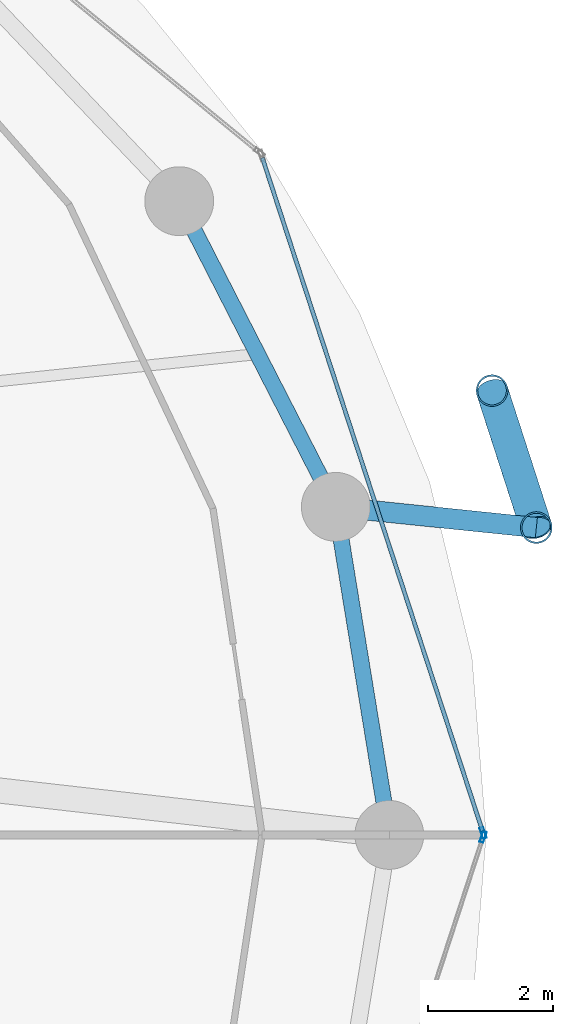
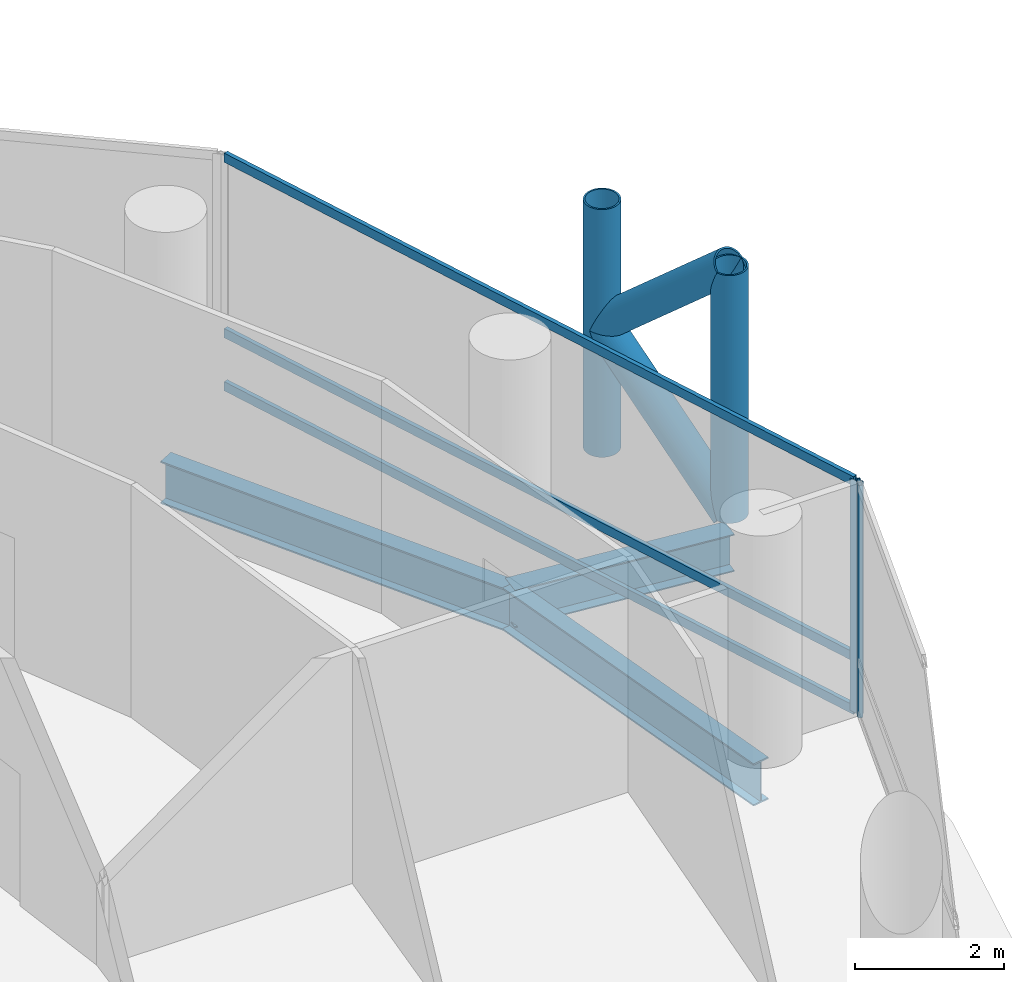
# One storey, part 12 of 26: 9 members, 3 beams, 2 elements without a shape of their own.
"""IFC4 building model written with IfcOpenShell, lengths in metres."""

import ifcopenshell
import ifcopenshell.guid

model = None  # the IFC model being written
_history = None  # IfcOwnerHistory: only IFC2X3 demands one
_inside = {}  # id of a spatial element -> (the spatial element, [elements in it])
_under = {}  # id of a project, library or spatial element -> (it, [spatial elements below it])
_declared = {}  # id of a project -> (the project, [libraries it declares])
_typed = {}  # id of a type object -> (the type object, [elements of that type])
_made_of = {}  # id of a material, layer set ... -> (it, [elements and type objects made of it])


def new_model(schema):
    """Start an empty IFC model of exactly this schema.

    Asked for "IFC4X3", IfcOpenShell would pick the latest addendum, in which some entities
    have other attributes; the version numbers below select the first issue.
    IFC2X3 requires an IfcOwnerHistory on every rooted entity: one is made here for all.
    """
    global model, _history
    if schema == "IFC4X3":
        model = ifcopenshell.file(schema_version=(4, 3, 0, 0))
    else:
        model = ifcopenshell.file(schema=schema)
    _inside.clear()
    _under.clear()
    _declared.clear()
    _typed.clear()
    _made_of.clear()
    _history = None
    if model.schema == "IFC2X3":
        org = make("IfcOrganization", Name="unknown")
        user = make(
            "IfcPersonAndOrganization",
            ThePerson=make("IfcPerson", FamilyName="unknown"),
            TheOrganization=org,
        )
        app = make(
            "IfcApplication",
            ApplicationDeveloper=org,
            Version="unknown",
            ApplicationFullName="unknown",
            ApplicationIdentifier="unknown",
        )
        _history = make(
            "IfcOwnerHistory",
            OwningUser=user,
            OwningApplication=app,
            ChangeAction="ADDED",
            CreationDate=0,
        )
    return model


def make(cls, **values):
    """One entity of the class cls with the attributes given. An attribute that is None is left unset."""
    return model.create_entity(
        cls, **{name: value for name, value in values.items() if value is not None}
    )


def rooted(cls, **values):
    """An entity with a GlobalId (a new one), such as an element, a storey or a relation."""
    return make(cls, GlobalId=ifcopenshell.guid.new(), OwnerHistory=_history, **values)


def si_unit(unit_type, name, prefix=None):
    """IfcSIUnit, for example si_unit("LENGTHUNIT", "METRE", prefix="MILLI")."""
    return make("IfcSIUnit", UnitType=unit_type, Prefix=prefix, Name=name)


def assignment(units):
    """IfcUnitAssignment: the units of a project."""
    return None if units is None else make("IfcUnitAssignment", Units=units)


def point(xyz):
    """IfcCartesianPoint."""
    return None if xyz is None else make("IfcCartesianPoint", Coordinates=xyz)


def direction(xyz):
    """IfcDirection."""
    return None if xyz is None else make("IfcDirection", DirectionRatios=xyz)


def frame(location, z_axis=None, x_axis=None):
    """IfcAxis2Placement3D, a coordinate frame: its origin and axes. An axis left out is left unset."""
    return make(
        "IfcAxis2Placement3D",
        Location=point(location),
        Axis=direction(z_axis),
        RefDirection=direction(x_axis),
    )


def frame_2d(location, x_axis=None):
    """IfcAxis2Placement2D, a coordinate frame in the plane: its origin and x axis."""
    return make(
        "IfcAxis2Placement2D", Location=point(location), RefDirection=direction(x_axis)
    )


def origin():
    """The frame at (0, 0, 0) with its axes left unset."""
    return frame((0.0, 0.0, 0.0))


def origin_2d():
    """The frame at (0, 0) in the plane with its x axis left unset."""
    return frame_2d((0.0, 0.0))


def place(relative_to, where):
    """IfcLocalPlacement: puts the frame where relative to a parent placement (None: the world)."""
    return make(
        "IfcLocalPlacement", PlacementRelTo=relative_to, RelativePlacement=where
    )


def context(
    kind, dimensions, precision=None, world=None, true_north=None, identifier=None
):
    """IfcGeometricRepresentationContext, for example the 3D "Model" context."""
    return make(
        "IfcGeometricRepresentationContext",
        ContextIdentifier=identifier,
        ContextType=kind,
        CoordinateSpaceDimension=dimensions,
        Precision=precision,
        WorldCoordinateSystem=world,
        TrueNorth=true_north,
    )


def subcontext(parent, identifier, kind, view, scale=None):
    """IfcGeometricRepresentationSubContext, for example "Body" below "Model"."""
    return make(
        "IfcGeometricRepresentationSubContext",
        ContextIdentifier=identifier,
        ContextType=kind,
        ParentContext=parent,
        TargetScale=scale,
        TargetView=view,
    )


def project(units=None, contexts=None):
    """IfcProject with its units and contexts."""
    return rooted(
        "IfcProject",
        Name="project",
        RepresentationContexts=contexts,
        UnitsInContext=assignment(units),
    )


def spatial(cls, under=None, at=None, **own):
    """A site, building, storey or space (cls), placed at a placement, below another one or the project."""
    s = rooted(cls, ObjectPlacement=at, **own)
    if under is not None:
        _under.setdefault(under.id(), (under, []))[1].append(s)
    return s


def profile(cls, at=None, kind="AREA", **sizes):
    """A parametric profile (cls). Its sizes go by their IFC names, for example OverallWidth=200.0."""
    return make(cls, ProfileType=kind, Position=at, **sizes)


def hollow_rectangle(**sizes):
    """IfcRectangleHollowProfileDef."""
    return profile("IfcRectangleHollowProfileDef", **sizes)


def hollow_circle(**sizes):
    """IfcCircleHollowProfileDef."""
    return profile("IfcCircleHollowProfileDef", **sizes)


def i_section(**sizes):
    """IfcIShapeProfileDef."""
    return profile("IfcIShapeProfileDef", **sizes)


def extrude(swept, where, along, depth):
    """IfcExtrudedAreaSolid: the profile swept, set in the frame where, extruded along a direction by depth."""
    return make(
        "IfcExtrudedAreaSolid",
        SweptArea=swept,
        Position=where,
        ExtrudedDirection=direction(along),
        Depth=depth,
    )


def shape(context_of_items, identifier, shape_type, items):
    """IfcShapeRepresentation: the items that make up one representation, for example the "Body"."""
    return make(
        "IfcShapeRepresentation",
        ContextOfItems=context_of_items,
        RepresentationIdentifier=identifier,
        RepresentationType=shape_type,
        Items=items,
    )


def material(Name=None, Category=None):
    """IfcMaterial."""
    return make("IfcMaterial", Name=Name, Category=Category)


def layer(
    of_material, thickness, ventilated=None, Name=None, Category=None, Priority=None
):
    """IfcMaterialLayer: one layer of a wall or slab, of a material (None: an air gap)."""
    return make(
        "IfcMaterialLayer",
        Material=of_material,
        LayerThickness=thickness,
        IsVentilated=ventilated,
        Name=Name,
        Category=Category,
        Priority=Priority,
    )


def layer_set(layers, Name=None):
    """IfcMaterialLayerSet."""
    return make("IfcMaterialLayerSet", MaterialLayers=layers, LayerSetName=Name)


def material_profile(
    of_material, cross_section, Name=None, Category=None, Priority=None
):
    """IfcMaterialProfile: a cross section and its material."""
    return make(
        "IfcMaterialProfile",
        Name=Name,
        Material=of_material,
        Profile=cross_section,
        Priority=Priority,
        Category=Category,
    )


def profile_set(profiles, Name=None, composite=None):
    """IfcMaterialProfileSet."""
    return make(
        "IfcMaterialProfileSet",
        Name=Name,
        MaterialProfiles=profiles,
        CompositeProfile=composite,
    )


def made_of(thing, what):
    """Note that an element or type object is made of a material, layer set ...; save() writes the relation."""
    if what is not None:
        _made_of.setdefault(what.id(), (what, []))[1].append(thing)
    return thing


def type_object(cls, material=None, **own):
    """A type object (cls), such as IfcWallType, which elements share."""
    return made_of(rooted(cls, **own), material)


def element(
    cls,
    number,
    at=None,
    inside=None,
    cuts=None,
    type_object=None,
    material=None,
    context=None,
    identifier="Body",
    shape_type=None,
    held_by="IfcProductDefinitionShape",
    body=None,
    shapes=None,
    **own,
):
    """One element of the class cls, such as IfcWall. Its Tag is "e" and its number.

    at: its placement. inside: the storey or other place that contains it. cuts: it is an
    opening in that element (IfcRelVoidsElement). A single representation is given by context,
    identifier, shape_type and body (its items); several are given by shapes. held_by: the class
    of the entity that holds the representations. save() writes the other relations.
    """
    e = rooted(cls, Tag="e%d" % number, ObjectPlacement=at, **own)
    if body is not None:
        shapes = [shape(context, identifier, shape_type, body)]
    if shapes is not None:
        e.Representation = make(held_by, Representations=shapes)
    if inside is not None:
        _inside.setdefault(inside.id(), (inside, []))[1].append(e)
    if cuts is not None:
        rooted(
            "IfcRelVoidsElement", RelatingBuildingElement=cuts, RelatedOpeningElement=e
        )
    if type_object is not None:
        _typed.setdefault(type_object.id(), (type_object, []))[1].append(e)
    return made_of(e, material)


def aggregate(whole, parts):
    """IfcRelAggregates: a whole, such as a stair, and the parts it consists of."""
    return rooted("IfcRelAggregates", RelatingObject=whole, RelatedObjects=parts)


def save(model, path):
    """Write the relations noted so far, then the file.

    IfcRelAggregates (storeys below a building ...), IfcRelContainedInSpatialStructure (elements
    in a storey), IfcRelDefinesByType, IfcRelAssociatesMaterial and IfcRelDeclares: one each for
    every whole, place, type object, material and project.
    """
    for whole, parts in _under.values():
        aggregate(whole, parts)
    for where, things in _inside.values():
        rooted(
            "IfcRelContainedInSpatialStructure",
            RelatedElements=things,
            RelatingStructure=where,
        )
    for kind, things in _typed.values():
        rooted("IfcRelDefinesByType", RelatedObjects=things, RelatingType=kind)
    for what, things in _made_of.values():
        rooted("IfcRelAssociatesMaterial", RelatedObjects=things, RelatingMaterial=what)
    for by, libraries in _declared.values():
        rooted("IfcRelDeclares", RelatingContext=by, RelatedDefinitions=libraries)
    model.write(path)


model = new_model("IFC4")

# Units and contexts
model_context = context("Model", 3, precision=1e-05, world=origin(), true_north=direction((0.0, 1.0)))
body_context = subcontext(model_context, "Body", "Model", "MODEL_VIEW")
ifc_project = project(units=[si_unit("LENGTHUNIT", "METRE"), si_unit("AREAUNIT", "SQUARE_METRE"), si_unit("VOLUMEUNIT", "CUBIC_METRE"), si_unit("PLANEANGLEUNIT", "RADIAN"), si_unit("MASSUNIT", "GRAM", prefix="KILO")], contexts=[model_context])

# Site, building, storey
site_placement = place(None, origin())
site = spatial("IfcSite", under=ifc_project, at=site_placement, CompositionType="ELEMENT")
building_placement = place(site_placement, origin())
building = spatial("IfcBuilding", under=site, at=building_placement, Name="Nuhasar Tower", CompositionType="ELEMENT")
storey_placement = place(building_placement, frame((0.0, 0.0, 93.89990234375)))
storey = spatial("IfcBuildingStorey", under=building, at=storey_placement, Name="L22", CompositionType="ELEMENT", Elevation=93.89990234375)

# Beams
ifc_material_1 = material(Name="Steel S355", Category="steel")
ifc_material_profile_1 = material_profile(ifc_material_1, i_section(OverallWidth=0.256103515625, OverallDepth=0.693115234375, WebThickness=0.014404296875, FlangeThickness=0.023681640625, at=origin_2d()), Name="W27X114")
ifc_profile_set_1 = profile_set([ifc_material_profile_1], Name="Steel S355")
beam_type_1 = type_object("IfcBeamType", Name="BM-RING-W27X114", PredefinedType="SPANDREL", material=ifc_profile_set_1)
beam_1_placement = place(storey_placement, frame((64.050048828125, 26.800048828125, -0.596923828125), z_axis=(-0.160826635486, 0.986982671235, 0.0), x_axis=(-0.986982671235, -0.160826635486, 0.0)))
element("IfcBeam", 1, at=beam_1_placement, inside=storey, type_object=beam_type_1, Name="L22 Perimeter Ring Spandrel 01", PredefinedType="SPANDREL", context=body_context, shape_type="SweptSolid", body=[
    extrude(i_section(OverallWidth=0.256103515625, OverallDepth=0.693115234375, WebThickness=0.014404296875, FlangeThickness=0.023681640625, at=origin_2d()), origin(), (0.0, 0.0, 1.0), 5.31005859375),
])
beam_2_placement = place(storey_placement, frame((63.196044921875, 32.041015625, -0.596923828125), z_axis=(-0.455930023905, 0.890015625314, 0.0), x_axis=(-0.890015625314, -0.455930023905, 0.0)))
element("IfcBeam", 2, at=beam_2_placement, inside=storey, type_object=beam_type_1, Name="L22 Perimeter Ring Spandrel 02", PredefinedType="SPANDREL", context=body_context, shape_type="SweptSolid", body=[
    extrude(i_section(OverallWidth=0.256103515625, OverallDepth=0.693115234375, WebThickness=0.014404296875, FlangeThickness=0.023681640625, at=origin_2d()), origin(), (0.0, 0.0, 1.0), 5.487548828125),
])
ifc_material_profile_2 = material_profile(ifc_material_1, i_section(OverallWidth=0.323974609375, OverallDepth=0.611083984375, WebThickness=0.0126953125, FlangeThickness=0.01904296875, at=origin_2d()), Name="W24X104")
ifc_profile_set_2 = profile_set([ifc_material_profile_2], Name="Steel S355")
beam_type_2 = type_object("IfcBeamType", Name="BM-TIE-W24X104", PredefinedType="BEAM", material=ifc_profile_set_2)
beam_3_placement = place(storey_placement, frame((63.196044921875, 32.041015625, -0.554931640625), z_axis=(0.994703825606, -0.102782777377, 0.0), x_axis=(0.102782777377, 0.994703825606, 0.0)))
element("IfcBeam", 3, at=beam_3_placement, inside=storey, type_object=beam_type_2, Name="L22 Exoskeleton Node Tie Beam 01", PredefinedType="BEAM", context=body_context, shape_type="SweptSolid", body=[
    extrude(i_section(OverallWidth=0.323974609375, OverallDepth=0.611083984375, WebThickness=0.0126953125, FlangeThickness=0.01904296875, at=origin_2d()), origin(), (0.0, 0.0, 1.0), 3.220947265625),
])

# Curtain wall, member
ifc_material_2 = material(Name="Aluminium 6063-T6", Category="aluminium")
ifc_layer = layer(ifc_material_2, 0.199951171875)
ifc_layer_set = layer_set([ifc_layer], Name="Aluminium 6063-T6")
curtain_wall_type = type_object("IfcCurtainWallType", Name="CW-Z1-OFF", PredefinedType="NOTDEFINED", material=ifc_layer_set)
curtain_wall_1_placement = place(storey_placement, origin())
curtain_wall_1 = element("IfcCurtainWall", 4, at=curtain_wall_1_placement, inside=storey, type_object=curtain_wall_type, Name="L22 Unitised Curtain Wall 01", PredefinedType="NOTDEFINED")
ifc_material_profile_3 = material_profile(ifc_material_2, hollow_rectangle(XDim=0.06494140625, YDim=0.179931640625, WallThickness=0.0048828125, at=origin_2d()), Name="CWM-2")
ifc_profile_set_3 = profile_set([ifc_material_profile_3], Name="Aluminium 6063-T6")
member_type_1 = type_object("IfcMemberType", Name="CW-MUL-S2", PredefinedType="MULLION", material=ifc_profile_set_3)
member_1_placement = place(storey_placement, frame((65.5498046875, 26.830810546875, 0.0), z_axis=(0.0, 0.0, 1.0), x_axis=(-0.950467534571, -0.310823849997, 0.0)))
member_1 = element("IfcMember", 5, at=member_1_placement, type_object=member_type_1, Name="CW-Z1 mullion 1", PredefinedType="MULLION", context=body_context, shape_type="SweptSolid", body=[
    extrude(hollow_rectangle(XDim=0.06494140625, YDim=0.179931640625, WallThickness=0.0048828125, at=origin_2d()), origin(), (0.0, 0.0, 1.0), 3.800048828125),
])

curtain_wall_2_placement = place(storey_placement, origin())
curtain_wall_2 = element("IfcCurtainWall", 6, at=curtain_wall_2_placement, inside=storey, type_object=curtain_wall_type, Name="L22 Unitised Curtain Wall 12", PredefinedType="NOTDEFINED")
member_2_placement = place(storey_placement, frame((65.5498046875, 26.76904296875, 0.0), z_axis=(0.0, 0.0, 1.0), x_axis=(-0.950467534571, 0.310823849997, 0.0)))
member_2 = element("IfcMember", 7, at=member_2_placement, type_object=member_type_1, Name="CW-Z1 mullion 2", PredefinedType="MULLION", context=body_context, shape_type="SweptSolid", body=[
    extrude(hollow_rectangle(XDim=0.06494140625, YDim=0.179931640625, WallThickness=0.0048828125, at=origin_2d()), origin(), (0.0, 0.0, 1.0), 3.800048828125),
])
aggregate(curtain_wall_2, [member_2])

# Member
ifc_material_profile_4 = material_profile(ifc_material_2, hollow_rectangle(XDim=0.06494140625, YDim=0.14990234375, WallThickness=0.00439453125, at=origin_2d()), Name="CWT-2")
ifc_profile_set_4 = profile_set([ifc_material_profile_4], Name="Aluminium 6063-T6")
member_type_2 = type_object("IfcMemberType", Name="CW-TRN-S2", PredefinedType="USERDEFINED", material=ifc_profile_set_4)
member_3_placement = place(storey_placement, frame((65.539794921875, 26.86181640625, 0.03271484375), z_axis=(-0.31082506089, 0.950467138581, 0.0), x_axis=(-0.950467138581, -0.31082506089, 0.0)))
member_3 = element("IfcMember", 8, at=member_3_placement, type_object=member_type_2, Name="CW-Z1 transom 1.1", ObjectType="TRANSOM", PredefinedType="USERDEFINED", context=body_context, shape_type="SweptSolid", body=[
    extrude(hollow_rectangle(XDim=0.06494140625, YDim=0.14990234375, WallThickness=0.00439453125, at=origin_2d()), origin(), (0.0, 0.0, 1.0), 11.31689453125),
])

member_4_placement = place(storey_placement, frame((65.539794921875, 26.86181640625, 0.900146484375), z_axis=(-0.31082506089, 0.950467138581, 0.0), x_axis=(-0.950467138581, -0.31082506089, 0.0)))
member_4 = element("IfcMember", 9, at=member_4_placement, type_object=member_type_2, Name="CW-Z1 transom 1.2", ObjectType="TRANSOM", PredefinedType="USERDEFINED", context=body_context, shape_type="SweptSolid", body=[
    extrude(hollow_rectangle(XDim=0.06494140625, YDim=0.14990234375, WallThickness=0.00439453125, at=origin_2d()), origin(), (0.0, 0.0, 1.0), 11.31689453125),
])

member_5_placement = place(storey_placement, frame((65.539794921875, 26.86181640625, 3.767578125), z_axis=(-0.31082506089, 0.950467138581, 0.0), x_axis=(-0.950467138581, -0.31082506089, 0.0)))
member_5 = element("IfcMember", 10, at=member_5_placement, type_object=member_type_2, Name="CW-Z1 transom 1.3", ObjectType="TRANSOM", PredefinedType="USERDEFINED", context=body_context, shape_type="SweptSolid", body=[
    extrude(hollow_rectangle(XDim=0.06494140625, YDim=0.14990234375, WallThickness=0.00439453125, at=origin_2d()), origin(), (0.0, 0.0, 1.0), 11.31689453125),
])

aggregate(curtain_wall_1, [member_1, member_3, member_4, member_5])

# Members
ifc_material_3 = material(Name="Steel S460", Category="steel")
ifc_material_profile_5 = material_profile(ifc_material_3, hollow_circle(Radius=0.25390625, WallThickness=0.025390625, at=origin_2d()), Name="HSS508X25.4")
ifc_profile_set_5 = profile_set([ifc_material_profile_5], Name="Steel S460")
member_type_3 = type_object("IfcMemberType", Name="EXO-BRONZE-508", PredefinedType="BRACE", material=ifc_profile_set_5)
for number, where, z_axis, x_axis, name in (
    (11, (66.39990234375, 31.7099609375, 0.0), (0.0, 0.0, 1.0), (1.0, 0.0, 0.0), "L22 Exoskeleton Chord Column EC-01A"),
    (12, (65.69189453125, 33.89892578125, 0.0), (0.0, 0.0, 1.0), (1.0, 0.0, 0.0), "L22 Exoskeleton Chord Column EC-01B"),
):
    element("IfcMember", number, at=place(storey_placement, frame(where, z_axis=z_axis, x_axis=x_axis)), inside=storey, type_object=member_type_3, Name=name, PredefinedType="BRACE", context=body_context, shape_type="SweptSolid", body=[
        extrude(hollow_circle(Radius=0.25390625, WallThickness=0.025390625, at=origin_2d()), origin(), (0.0, 0.0, 1.0), 4.050048828125),
    ])
member_6_placement = place(storey_placement, frame((66.39990234375, 31.7099609375, 0.0), z_axis=(-0.230999678299, 0.714187281251, 0.660738734997), x_axis=(-0.951468282519, -0.307746823478, 0.0)))
element("IfcMember", 13, at=member_6_placement, inside=storey, type_object=member_type_3, Name="L22 Bronze Diagrid Brace W1-01", PredefinedType="BRACE", context=body_context, shape_type="SweptSolid", body=[
    extrude(hollow_circle(Radius=0.25390625, WallThickness=0.025390625, at=origin_2d()), origin(), (0.0, 0.0, 1.0), 3.06494140625),
])
member_7_placement = place(storey_placement, frame((65.69189453125, 33.89892578125, 2.025146484375), z_axis=(0.231011836313, -0.714224870475, 0.660693851854), x_axis=(0.951468282519, 0.307746823478, 0.0)))
element("IfcMember", 14, at=member_7_placement, inside=storey, type_object=member_type_3, Name="L22 Bronze Diagrid Brace W2-01", PredefinedType="BRACE", context=body_context, shape_type="SweptSolid", body=[
    extrude(hollow_circle(Radius=0.25390625, WallThickness=0.025390625, at=origin_2d()), origin(), (0.0, 0.0, 1.0), 3.064697265625),
])

save(model, "model.ifc")
